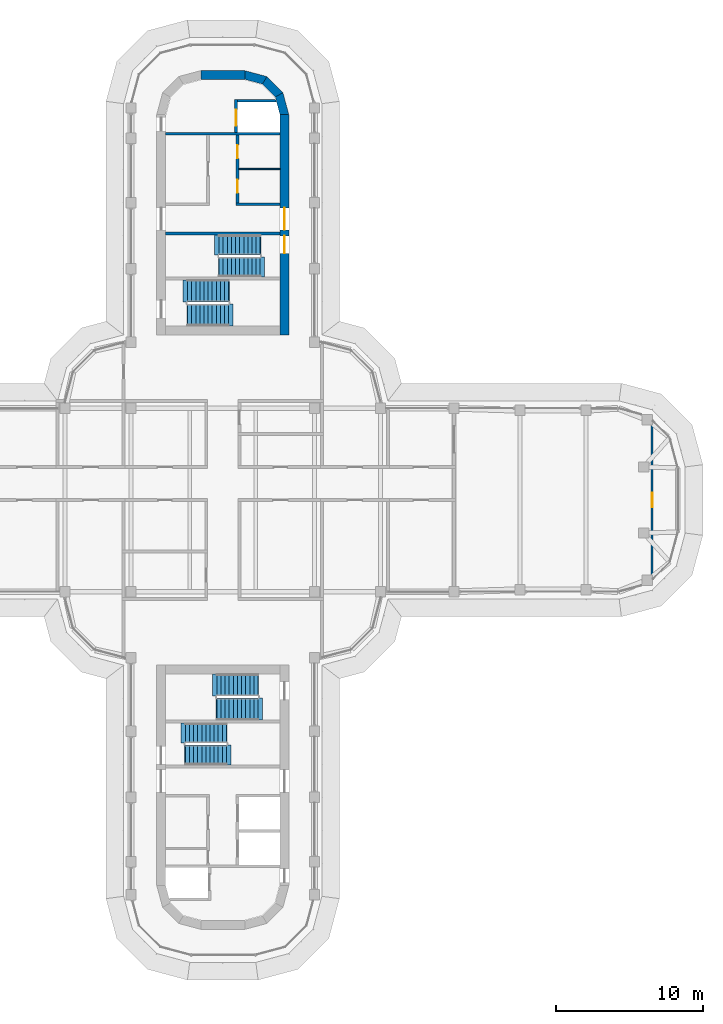
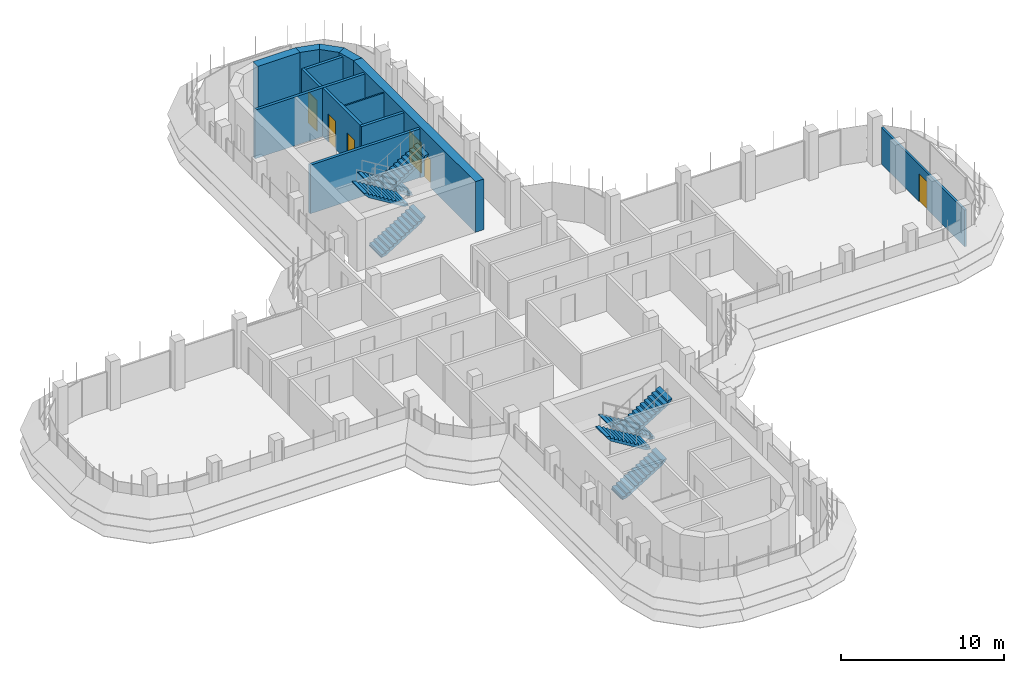
# One storey, part 15 of 18: 13 walls, 8 stair flights, 6 doors, 6 openings, 4 elements without a shape of their own.
"""IFC4 building model written with IfcOpenShell, lengths in metres."""

from ifc_helpers import new_model, si_unit, direction, frame, frame_2d, origin, place, context, subcontext, project, spatial, polyline, rectangle, outline, extrude, material, layer, layer_set, type_object, element, fill, aggregate, save


model = new_model("IFC4")

# Units and contexts
model_context = context("Model", 3, precision=1e-05, world=origin(), true_north=direction((0.0, 1.0)))
body_context = subcontext(model_context, "Body", "Model", "MODEL_VIEW")
ifc_project = project(units=[si_unit("LENGTHUNIT", "METRE"), si_unit("AREAUNIT", "SQUARE_METRE"), si_unit("VOLUMEUNIT", "CUBIC_METRE"), si_unit("PLANEANGLEUNIT", "RADIAN"), si_unit("MASSUNIT", "GRAM", prefix="KILO")], contexts=[model_context])

# Site, building, storey
site_placement = place(None, origin())
site = spatial("IfcSite", under=ifc_project, at=site_placement, CompositionType="ELEMENT")
building_placement = place(site_placement, origin())
building = spatial("IfcBuilding", under=site, at=building_placement, Name="Zarbagh Exchange Tower", CompositionType="ELEMENT")
storey_placement = place(building_placement, frame((0.0, 0.0, 210.60009765625)))
storey = spatial("IfcBuildingStorey", under=building, at=storey_placement, Name="L51", CompositionType="ELEMENT", Elevation=210.60009765625)

# Wall
ifc_material_1 = material(Name="Dense blockwork", Category="masonry")
ifc_layer_1 = layer(ifc_material_1, 0.10009765625)
ifc_layer_set_1 = layer_set([ifc_layer_1], Name="Core partition 100 mm blockwork")
wall_type_1 = type_object("IfcWallType", Name="Core partition 100 mm blockwork", PredefinedType="PARTITIONING", material=ifc_layer_set_1)
wall_1_placement = place(storey_placement, frame((1.10009765625, 22.550048828125, 0.0), z_axis=(0.0, 0.0, 1.0), x_axis=(1.0, 0.0, 0.0)))
element("IfcWall", 1, at=wall_1_placement, inside=storey, type_object=wall_type_1, Name="North core partition wall CUT-E-580", PredefinedType="PARTITIONING", context=body_context, shape_type="SweptSolid", body=[
    extrude(rectangle(XDim=2.7998046875, YDim=0.10009765625, at=frame_2d((1.39990234375, 0.0))), origin(), (0.0, 0.0, 1.0), 3.64990234375),
])

# Wall, opening, door
ifc_material_2 = material(Name="Plasterboard partition")
ifc_layer_2 = layer(ifc_material_2, 0.14990234375)
ifc_layer_set_2 = layer_set([ifc_layer_2], Name="PARTITION 150")
wall_type_2 = type_object("IfcWallType", Name="PARTITION 150", PredefinedType="PARTITIONING", material=ifc_layer_set_2)
wall_2_placement = place(storey_placement, frame((29.25, 5.125, 0.0), z_axis=(0.0, 0.0, 1.0), x_axis=(0.0, -1.0, 0.0)))
wall_2 = element("IfcWall", 2, at=wall_2_placement, inside=storey, type_object=wall_type_2, Name="Partition W-2244", PredefinedType="PARTITIONING", context=body_context, shape_type="SweptSolid", body=[
    extrude(rectangle(XDim=10.25, YDim=0.14990234375, at=frame_2d((5.125, 0.0))), origin(), (0.0, 0.0, 1.0), 2.75),
])
opening_1_placement = place(wall_2_placement, frame((4.625, 0.0, 0.0)))
opening_1 = element("IfcOpeningElement", 3, at=opening_1_placement, cuts=wall_2, Name="Opening D-2201", PredefinedType="OPENING", context=body_context, shape_type="SweptSolid", body=[
    extrude(rectangle(XDim=1.0, YDim=2.10009765625, at=frame_2d((0.5, 1.050048828125))), frame((0.0, 0.0849609375, 0.0), z_axis=(0.0, -1.0, 0.0), x_axis=(1.0, 0.0, 0.0)), (0.0, 0.0, 1.0), 0.169921875),
])
ifc_material_3 = material(Name="Timber door leaf", Category="wood")
door_type_1 = type_object("IfcDoorType", Name="DOOR 1000 X 2100", OperationType="NOTDEFINED", PredefinedType="DOOR", material=ifc_material_3)
door_1_placement = place(opening_1_placement, origin())
door_1 = element("IfcDoor", 4, at=door_1_placement, inside=storey, type_object=door_type_1, Name="Door D-2201", OperationType="SINGLE_SWING_RIGHT", OverallHeight=2.10009765625, OverallWidth=1.0, PredefinedType="DOOR", context=body_context, shape_type="SweptSolid", body=[
    extrude(rectangle(XDim=1.0, YDim=2.10009765625, at=frame_2d((0.5, 1.050048828125))), frame((0.0, 0.02490234375, 0.0), z_axis=(0.0, -1.0, 0.0), x_axis=(1.0, 0.0, 0.0)), (0.0, 0.0, 1.0), 0.050048828125),
])
fill(opening_1, door_1)

# Walls
ifc_material_4 = material(Name="Concrete C50/60", Category="concrete")
ifc_layer_3 = layer(ifc_material_4, 0.60009765625)
ifc_layer_set_3 = layer_set([ifc_layer_3], Name="RC core corner wall 600 C50/60")
wall_type_3 = type_object("IfcWallType", Name="RC core corner wall 600 C50/60", PredefinedType="SHEAR", material=ifc_layer_set_3)
wall_3_placement = place(storey_placement, origin())
element("IfcWall", 5, at=wall_3_placement, inside=storey, type_object=wall_type_3, Name="CW8 core N corner E", PredefinedType="SHEAR", context=body_context, shape_type="SweptSolid", body=[
    extrude(outline(polyline([(4.5, 26.25), (4.09814453125, 27.75), (3.57861328125, 27.449951171875), (3.89990234375, 26.25), (4.5, 26.25)])), origin(), (0.0, 0.0, 1.0), 3.7998046875),
])
wall_4_placement = place(storey_placement, origin())
element("IfcWall", 6, at=wall_4_placement, inside=storey, type_object=wall_type_3, Name="CW8 core N corner E", PredefinedType="SHEAR", context=body_context, shape_type="SweptSolid", body=[
    extrude(outline(polyline([(4.09814453125, 27.75), (3.0, 28.84814453125), (2.699951171875, 28.32861328125), (3.57861328125, 27.449951171875), (4.09814453125, 27.75)])), origin(), (0.0, 0.0, 1.0), 3.7998046875),
])
wall_5_placement = place(storey_placement, origin())
element("IfcWall", 7, at=wall_5_placement, inside=storey, type_object=wall_type_3, Name="CW8 core N corner E", PredefinedType="SHEAR", context=body_context, shape_type="SweptSolid", body=[
    extrude(outline(polyline([(3.0, 28.84814453125), (1.5, 29.25), (1.5, 28.64990234375), (2.699951171875, 28.32861328125), (3.0, 28.84814453125)])), origin(), (0.0, 0.0, 1.0), 3.7998046875),
])

# Wall, openings, doors
ifc_layer_4 = layer(ifc_material_4, 0.60009765625)
ifc_layer_set_4 = layer_set([ifc_layer_4], Name="RC core wall 600 C50/60")
wall_type_4 = type_object("IfcWallType", Name="RC core wall 600 C50/60", PredefinedType="SHEAR", material=ifc_layer_set_4)
wall_6_placement = place(storey_placement, frame((4.199951171875, 11.25, 0.0), z_axis=(0.0, 0.0, 1.0), x_axis=(0.0, 1.0, 0.0)))
wall_6 = element("IfcWall", 8, at=wall_6_placement, inside=storey, type_object=wall_type_4, Name="CW7 core N E", PredefinedType="SHEAR", context=body_context, shape_type="SweptSolid", body=[
    extrude(rectangle(XDim=15.0, YDim=0.60009765625, at=frame_2d((7.5, 0.0))), origin(), (0.0, 0.0, 1.0), 3.7998046875),
])
opening_2_placement = place(wall_6_placement, frame((7.14990234375, 0.0, 0.0)))
opening_2 = element("IfcOpeningElement", 9, at=opening_2_placement, cuts=wall_6, Name="Opening CD1-1500", PredefinedType="OPENING", context=body_context, shape_type="SweptSolid", body=[
    extrude(rectangle(XDim=1.5, YDim=2.300048828125, at=frame_2d((0.75, 1.14990234375))), frame((0.0, 0.31005859375, 0.0), z_axis=(0.0, -1.0, 0.0), x_axis=(1.0, 0.0, 0.0)), (0.0, 0.0, 1.0), 0.6201171875),
])
opening_3_placement = place(wall_6_placement, frame((5.550048828125, 0.0, 0.0)))
opening_3 = element("IfcOpeningElement", 10, at=opening_3_placement, cuts=wall_6, Name="Opening SD1-1200", PredefinedType="OPENING", context=body_context, shape_type="SweptSolid", body=[
    extrude(rectangle(XDim=1.199951171875, YDim=2.10009765625, at=frame_2d((0.60009765625, 1.050048828125))), frame((0.0, 0.31005859375, 0.0), z_axis=(0.0, -1.0, 0.0), x_axis=(1.0, 0.0, 0.0)), (0.0, 0.0, 1.0), 0.6201171875),
])
ifc_material_5 = material(Name="Steel", Category="steel")
door_type_2 = type_object("IfcDoorType", Name="Exit stair door 1200 x 2100", OperationType="NOTDEFINED", PredefinedType="DOOR", material=ifc_material_5)
door_2_placement = place(opening_3_placement, origin())
door_2 = element("IfcDoor", 11, at=door_2_placement, inside=storey, type_object=door_type_2, Name="North core stair door ST1", OperationType="SINGLE_SWING_RIGHT", OverallHeight=2.10009765625, OverallWidth=1.199951171875, PredefinedType="DOOR", context=body_context, shape_type="SweptSolid", body=[
    extrude(rectangle(XDim=1.199951171875, YDim=2.10009765625, at=frame_2d((0.60009765625, 1.050048828125))), frame((0.0, 0.02490234375, 0.0), z_axis=(0.0, -1.0, 0.0), x_axis=(1.0, 0.0, 0.0)), (0.0, 0.0, 1.0), 0.050048828125),
])
fill(opening_3, door_2)
door_type_3 = type_object("IfcDoorType", Name="Lift lobby double door 1500 x 2300", OperationType="NOTDEFINED", PredefinedType="DOOR", material=ifc_material_5)
door_3_placement = place(opening_2_placement, origin())
door_3 = element("IfcDoor", 12, at=door_3_placement, inside=storey, type_object=door_type_3, Name="North core lift lobby door LOBBY-E", OperationType="DOUBLE_DOOR_SINGLE_SWING", OverallHeight=2.300048828125, OverallWidth=1.5, PredefinedType="DOOR", context=body_context, shape_type="SweptSolid", body=[
    extrude(rectangle(XDim=1.5, YDim=2.300048828125, at=frame_2d((0.75, 1.14990234375))), frame((0.0, 0.02490234375, 0.0), z_axis=(0.0, -1.0, 0.0), x_axis=(1.0, 0.0, 0.0)), (0.0, 0.0, 1.0), 0.050048828125),
])
fill(opening_2, door_3)

# Walls
wall_7_placement = place(storey_placement, frame((-1.5, 28.949951171875, 0.0), z_axis=(0.0, 0.0, 1.0), x_axis=(1.0, 0.0, 0.0)))
element("IfcWall", 13, at=wall_7_placement, inside=storey, type_object=wall_type_4, Name="CW7 core N outer end", PredefinedType="SHEAR", context=body_context, shape_type="SweptSolid", body=[
    extrude(rectangle(XDim=3.0, YDim=0.60009765625, at=frame_2d((1.5, 0.0))), origin(), (0.0, 0.0, 1.0), 3.7998046875),
])
ifc_layer_5 = layer(ifc_material_1, 0.199951171875)
ifc_layer_set_5 = layer_set([ifc_layer_5], Name="Shaft wall 200 mm blockwork")
wall_type_5 = type_object("IfcWallType", Name="Shaft wall 200 mm blockwork", PredefinedType="PARTITIONING", material=ifc_layer_set_5)
wall_8_placement = place(storey_placement, frame((0.89990234375, 20.14990234375, 0.0), z_axis=(0.0, 0.0, 1.0), x_axis=(1.0, 0.0, 0.0)))
element("IfcWall", 14, at=wall_8_placement, inside=storey, type_object=wall_type_5, Name="North core shaft wall AB-E", PredefinedType="PARTITIONING", context=body_context, shape_type="SweptSolid", body=[
    extrude(rectangle(XDim=3.0, YDim=0.199951171875, at=frame_2d((1.5, 0.0))), origin(), (0.0, 0.0, 1.0), 3.64990234375),
])

# Wall, openings, doors
wall_9_placement = place(storey_placement, frame((1.0, 24.85009765625, 0.0), z_axis=(0.0, 0.0, 1.0), x_axis=(0.0, -1.0, 0.0)))
wall_9 = element("IfcWall", 15, at=wall_9_placement, inside=storey, type_object=wall_type_5, Name="North core shaft wall LW-E", PredefinedType="PARTITIONING", context=body_context, shape_type="SweptSolid", body=[
    extrude(rectangle(XDim=4.60009765625, YDim=0.199951171875, at=frame_2d((2.300048828125, 0.0))), origin(), (0.0, 0.0, 1.0), 3.64990234375),
])
opening_4_placement = place(wall_9_placement, frame((0.675048828125, 0.0, 0.0)))
opening_4 = element("IfcOpeningElement", 16, at=opening_4_placement, cuts=wall_9, Name="Opening CD3-900", PredefinedType="OPENING", context=body_context, shape_type="SweptSolid", body=[
    extrude(rectangle(XDim=0.89990234375, YDim=2.10009765625, at=frame_2d((0.449951171875, 1.050048828125))), frame((0.0, 0.10986328125, 0.0), z_axis=(0.0, -1.0, 0.0), x_axis=(1.0, 0.0, 0.0)), (0.0, 0.0, 1.0), 0.219970703125),
])
opening_5_placement = place(wall_9_placement, frame((3.02490234375, 0.0, 0.0)))
opening_5 = element("IfcOpeningElement", 17, at=opening_5_placement, cuts=wall_9, Name="Opening CD3-900", PredefinedType="OPENING", context=body_context, shape_type="SweptSolid", body=[
    extrude(rectangle(XDim=0.89990234375, YDim=2.10009765625, at=frame_2d((0.449951171875, 1.050048828125))), frame((0.0, 0.10986328125, 0.0), z_axis=(0.0, -1.0, 0.0), x_axis=(1.0, 0.0, 0.0)), (0.0, 0.0, 1.0), 0.219970703125),
])
door_type_4 = type_object("IfcDoorType", Name="Core room door 900 x 2100", OperationType="NOTDEFINED", PredefinedType="DOOR", material=ifc_material_5)
door_4_placement = place(opening_4_placement, origin())
door_4 = element("IfcDoor", 18, at=door_4_placement, inside=storey, type_object=door_type_4, Name="North core Staff WC door RD-E-0", OperationType="SINGLE_SWING_LEFT", OverallHeight=2.10009765625, OverallWidth=0.89990234375, PredefinedType="DOOR", context=body_context, shape_type="SweptSolid", body=[
    extrude(rectangle(XDim=0.89990234375, YDim=2.10009765625, at=frame_2d((0.449951171875, 1.050048828125))), frame((0.0, 0.02490234375, 0.0), z_axis=(0.0, -1.0, 0.0), x_axis=(1.0, 0.0, 0.0)), (0.0, 0.0, 1.0), 0.050048828125),
])
fill(opening_4, door_4)
door_5_placement = place(opening_5_placement, origin())
door_5 = element("IfcDoor", 19, at=door_5_placement, inside=storey, type_object=door_type_4, Name="North core Accessible WC door RD-E-1", OperationType="SINGLE_SWING_RIGHT", OverallHeight=2.10009765625, OverallWidth=0.89990234375, PredefinedType="DOOR", context=body_context, shape_type="SweptSolid", body=[
    extrude(rectangle(XDim=0.89990234375, YDim=2.10009765625, at=frame_2d((0.449951171875, 1.050048828125))), frame((0.0, 0.02490234375, 0.0), z_axis=(0.0, -1.0, 0.0), x_axis=(1.0, 0.0, 0.0)), (0.0, 0.0, 1.0), 0.050048828125),
])
fill(opening_5, door_5)

# Wall
ifc_material_6 = material(Name="Concrete C40/50", Category="concrete")
ifc_layer_6 = layer(ifc_material_6, 0.199951171875)
ifc_layer_set_6 = layer_set([ifc_layer_6], Name="Stair enclosure wall 200 mm RC C40/50")
wall_type_6 = type_object("IfcWallType", Name="Stair enclosure wall 200 mm RC C40/50", PredefinedType="SHEAR", material=ifc_layer_set_6)
wall_10_placement = place(storey_placement, frame((-3.89990234375, 24.949951171875, 0.0), z_axis=(0.0, 0.0, 1.0), x_axis=(1.0, 0.0, 0.0)))
element("IfcWall", 20, at=wall_10_placement, inside=storey, type_object=wall_type_6, Name="North core lift shaft wall FFA", PredefinedType="SHEAR", context=body_context, shape_type="SweptSolid", body=[
    extrude(rectangle(XDim=7.7998046875, YDim=0.199951171875, at=frame_2d((3.89990234375, 0.0))), origin(), (0.0, 0.0, 1.0), 3.64990234375),
])

# Wall, opening, door
wall_11_placement = place(storey_placement, frame((0.89990234375, 27.300048828125, 0.0), z_axis=(0.0, 0.0, 1.0), x_axis=(0.0, -1.0, 0.0)))
wall_11 = element("IfcWall", 21, at=wall_11_placement, inside=storey, type_object=wall_type_6, Name="North core lift shaft wall FFL", PredefinedType="SHEAR", context=body_context, shape_type="SweptSolid", body=[
    extrude(rectangle(XDim=2.25, YDim=0.199951171875, at=frame_2d((1.125, 0.0))), origin(), (0.0, 0.0, 1.0), 3.64990234375),
])
opening_6_placement = place(wall_11_placement, frame((0.699951171875, 0.0, 0.0)))
opening_6 = element("IfcOpeningElement", 22, at=opening_6_placement, cuts=wall_11, Name="Opening LD-1100", PredefinedType="OPENING", context=body_context, shape_type="SweptSolid", body=[
    extrude(rectangle(XDim=1.10009765625, YDim=2.300048828125, at=frame_2d((0.550048828125, 1.14990234375))), frame((0.0, 0.10986328125, 0.0), z_axis=(0.0, -1.0, 0.0), x_axis=(1.0, 0.0, 0.0)), (0.0, 0.0, 1.0), 0.219970703125),
])
ifc_material_7 = material(Name="Stainless steel", Category="steel")
door_type_5 = type_object("IfcDoorType", Name="Lift landing door 1100 x 2300", OperationType="NOTDEFINED", PredefinedType="DOOR", material=ifc_material_7)
door_6_placement = place(opening_6_placement, origin())
door_6 = element("IfcDoor", 23, at=door_6_placement, inside=storey, type_object=door_type_5, Name="North core lift landing door LD-F", OperationType="DOUBLE_DOOR_SLIDING", OverallHeight=2.300048828125, OverallWidth=1.10009765625, PredefinedType="DOOR", context=body_context, shape_type="SweptSolid", body=[
    extrude(rectangle(XDim=1.10009765625, YDim=2.300048828125, at=frame_2d((0.550048828125, 1.14990234375))), frame((0.0, 0.02490234375, 0.0), z_axis=(0.0, -1.0, 0.0), x_axis=(1.0, 0.0, 0.0)), (0.0, 0.0, 1.0), 0.050048828125),
])
fill(opening_6, door_6)

# Walls
wall_12_placement = place(storey_placement, origin())
element("IfcWall", 24, at=wall_12_placement, inside=storey, type_object=wall_type_6, Name="North core lift shaft wall FFX", PredefinedType="SHEAR", context=body_context, shape_type="SweptSolid", body=[
    extrude(outline(polyline([(1.0, 27.10009765625), (3.651123046875, 27.10009765625), (3.597412109375, 27.300048828125), (1.0, 27.300048828125), (1.0, 27.10009765625)])), origin(), (0.0, 0.0, 1.0), 3.64990234375),
])
wall_13_placement = place(storey_placement, frame((-3.89990234375, 18.14990234375, 0.0), z_axis=(0.0, 0.0, 1.0), x_axis=(1.0, 0.0, 0.0)))
element("IfcWall", 25, at=wall_13_placement, inside=storey, type_object=wall_type_6, Name="North core stair wall BS", PredefinedType="SHEAR", context=body_context, shape_type="SweptSolid", body=[
    extrude(rectangle(XDim=7.7998046875, YDim=0.199951171875, at=frame_2d((3.89990234375, 0.0))), origin(), (0.0, 0.0, 1.0), 3.64990234375),
])

# Stair, stair flights
stair_type = type_object("IfcStairType", Name="Exit stair two-flight half-turn", PredefinedType="HALF_TURN_STAIR", material=ifc_material_6)
stair_1_placement = place(storey_placement, origin())
stair_1 = element("IfcStair", 26, at=stair_1_placement, inside=storey, type_object=stair_type, Name="exit stair ST1", PredefinedType="HALF_TURN_STAIR")
stair_flight_type_1 = type_object("IfcStairFlightType", Name="Stair flight 1350 mm", PredefinedType="STRAIGHT", material=ifc_material_6)
stair_flight_1_placement = place(storey_placement, frame((2.550048828125, 17.375, 0.0), z_axis=(0.0, 0.0, 1.0), x_axis=(-1.0, 0.0, 0.0)))
stair_flight_1 = element("IfcStairFlight", 27, at=stair_flight_1_placement, type_object=stair_flight_type_1, Name="ST1 flight 1", NumberOfRisers=11, NumberOfTreads=10, PredefinedType="STRAIGHT", RiserHeight=0.172727273, TreadLength=0.28, context=body_context, shape_type="SweptSolid", body=[
    extrude(outline(polyline([(-0.050048828125, -0.050048828125), (-0.050048828125, 0.0), (0.0, 0.0), (0.0, 0.172607421875), (0.280029296875, 0.172607421875), (0.280029296875, 0.345458984375), (0.56005859375, 0.345458984375), (0.56005859375, 0.51806640625), (0.840087890625, 0.51806640625), (0.840087890625, 0.69091796875), (1.1201171875, 0.69091796875), (1.1201171875, 0.863525390625), (1.39990234375, 0.863525390625), (1.39990234375, 1.036376953125), (1.679931640625, 1.036376953125), (1.679931640625, 1.208984375), (1.9599609375, 1.208984375), (1.9599609375, 1.3818359375), (2.239990234375, 1.3818359375), (2.239990234375, 1.554443359375), (2.52001953125, 1.554443359375), (2.52001953125, 1.727294921875), (2.800048828125, 1.727294921875), (2.800048828125, 1.89990234375), (3.10009765625, 1.97998046875), (3.10009765625, 1.89990234375), (2.800048828125, 1.551025390625), (0.285400390625, 0.0), (-0.050048828125, -0.050048828125)])), frame((0.0, 0.675048828125, 0.0), z_axis=(0.0, -1.0, 0.0), x_axis=(1.0, 0.0, 0.0)), (0.0, 0.0, 1.0), 1.35009765625),
])
stair_flight_2_placement = place(storey_placement, frame((-0.25, 15.875, 1.89990234375), z_axis=(0.0, 0.0, 1.0), x_axis=(1.0, 0.0, 0.0)))
stair_flight_2 = element("IfcStairFlight", 28, at=stair_flight_2_placement, type_object=stair_flight_type_1, Name="ST1 flight 2", NumberOfRisers=11, NumberOfTreads=10, PredefinedType="STRAIGHT", RiserHeight=0.172727273, TreadLength=0.28, context=body_context, shape_type="SweptSolid", body=[
    extrude(outline(polyline([(-0.050048828125, -0.050048828125), (-0.050048828125, 0.0), (0.0, 0.0), (0.0, 0.172607421875), (0.280029296875, 0.172607421875), (0.280029296875, 0.345458984375), (0.56005859375, 0.345458984375), (0.56005859375, 0.51806640625), (0.840087890625, 0.51806640625), (0.840087890625, 0.69091796875), (1.1201171875, 0.69091796875), (1.1201171875, 0.863525390625), (1.39990234375, 0.863525390625), (1.39990234375, 1.036376953125), (1.679931640625, 1.036376953125), (1.679931640625, 1.208984375), (1.9599609375, 1.208984375), (1.9599609375, 1.3818359375), (2.239990234375, 1.3818359375), (2.239990234375, 1.554443359375), (2.52001953125, 1.554443359375), (2.52001953125, 1.727294921875), (2.800048828125, 1.727294921875), (2.800048828125, 1.89990234375), (3.10009765625, 1.97998046875), (3.10009765625, 1.89990234375), (2.800048828125, 1.551025390625), (0.285400390625, 0.0), (-0.050048828125, -0.050048828125)])), frame((0.0, 0.675048828125, 0.0), z_axis=(0.0, -1.0, 0.0), x_axis=(1.0, 0.0, 0.0)), (0.0, 0.0, 1.0), 1.35009765625),
])
aggregate(stair_1, [stair_flight_1, stair_flight_2])

stair_2_placement = place(storey_placement, origin())
stair_2 = element("IfcStair", 29, at=stair_2_placement, inside=storey, type_object=stair_type, Name="exit stair ST3", PredefinedType="HALF_TURN_STAIR")
stair_flight_3_placement = place(storey_placement, frame((-2.550048828125, -17.375, 0.0), z_axis=(0.0, 0.0, 1.0), x_axis=(1.0, 0.0, 0.0)))
stair_flight_3 = element("IfcStairFlight", 30, at=stair_flight_3_placement, type_object=stair_flight_type_1, Name="ST3 flight 1", NumberOfRisers=11, NumberOfTreads=10, PredefinedType="STRAIGHT", RiserHeight=0.172727273, TreadLength=0.28, context=body_context, shape_type="SweptSolid", body=[
    extrude(outline(polyline([(-0.050048828125, -0.050048828125), (-0.050048828125, 0.0), (0.0, 0.0), (0.0, 0.172607421875), (0.280029296875, 0.172607421875), (0.280029296875, 0.345458984375), (0.56005859375, 0.345458984375), (0.56005859375, 0.51806640625), (0.840087890625, 0.51806640625), (0.840087890625, 0.69091796875), (1.1201171875, 0.69091796875), (1.1201171875, 0.863525390625), (1.39990234375, 0.863525390625), (1.39990234375, 1.036376953125), (1.679931640625, 1.036376953125), (1.679931640625, 1.208984375), (1.9599609375, 1.208984375), (1.9599609375, 1.3818359375), (2.239990234375, 1.3818359375), (2.239990234375, 1.554443359375), (2.52001953125, 1.554443359375), (2.52001953125, 1.727294921875), (2.800048828125, 1.727294921875), (2.800048828125, 1.89990234375), (3.10009765625, 1.97998046875), (3.10009765625, 1.89990234375), (2.800048828125, 1.551025390625), (0.285400390625, 0.0), (-0.050048828125, -0.050048828125)])), frame((0.0, 0.675048828125, 0.0), z_axis=(0.0, -1.0, 0.0), x_axis=(1.0, 0.0, 0.0)), (0.0, 0.0, 1.0), 1.35009765625),
])
stair_flight_4_placement = place(storey_placement, frame((0.25, -15.875, 1.89990234375), z_axis=(0.0, 0.0, 1.0), x_axis=(-1.0, 0.0, 0.0)))
stair_flight_4 = element("IfcStairFlight", 31, at=stair_flight_4_placement, type_object=stair_flight_type_1, Name="ST3 flight 2", NumberOfRisers=11, NumberOfTreads=10, PredefinedType="STRAIGHT", RiserHeight=0.172727273, TreadLength=0.28, context=body_context, shape_type="SweptSolid", body=[
    extrude(outline(polyline([(-0.050048828125, -0.050048828125), (-0.050048828125, 0.0), (0.0, 0.0), (0.0, 0.172607421875), (0.280029296875, 0.172607421875), (0.280029296875, 0.345458984375), (0.56005859375, 0.345458984375), (0.56005859375, 0.51806640625), (0.840087890625, 0.51806640625), (0.840087890625, 0.69091796875), (1.1201171875, 0.69091796875), (1.1201171875, 0.863525390625), (1.39990234375, 0.863525390625), (1.39990234375, 1.036376953125), (1.679931640625, 1.036376953125), (1.679931640625, 1.208984375), (1.9599609375, 1.208984375), (1.9599609375, 1.3818359375), (2.239990234375, 1.3818359375), (2.239990234375, 1.554443359375), (2.52001953125, 1.554443359375), (2.52001953125, 1.727294921875), (2.800048828125, 1.727294921875), (2.800048828125, 1.89990234375), (3.10009765625, 1.97998046875), (3.10009765625, 1.89990234375), (2.800048828125, 1.551025390625), (0.285400390625, 0.0), (-0.050048828125, -0.050048828125)])), frame((0.0, 0.675048828125, 0.0), z_axis=(0.0, -1.0, 0.0), x_axis=(1.0, 0.0, 0.0)), (0.0, 0.0, 1.0), 1.35009765625),
])
aggregate(stair_2, [stair_flight_3, stair_flight_4])

stair_3_placement = place(storey_placement, origin())
stair_3 = element("IfcStair", 32, at=stair_3_placement, inside=storey, type_object=stair_type, Name="exit stair ST2", PredefinedType="HALF_TURN_STAIR")
stair_flight_type_2 = type_object("IfcStairFlightType", Name="Stair flight 1500 mm", PredefinedType="STRAIGHT", material=ifc_material_6)
stair_flight_5_placement = place(storey_placement, frame((-2.39990234375, 12.60009765625, 0.0), z_axis=(0.0, 0.0, 1.0), x_axis=(1.0, 0.0, 0.0)))
stair_flight_5 = element("IfcStairFlight", 33, at=stair_flight_5_placement, type_object=stair_flight_type_2, Name="ST2 flight 1", NumberOfRisers=11, NumberOfTreads=10, PredefinedType="STRAIGHT", RiserHeight=0.172727273, TreadLength=0.28, context=body_context, shape_type="SweptSolid", body=[
    extrude(outline(polyline([(-0.050048828125, -0.050048828125), (-0.050048828125, 0.0), (0.0, 0.0), (0.0, 0.172607421875), (0.280029296875, 0.172607421875), (0.280029296875, 0.345458984375), (0.56005859375, 0.345458984375), (0.56005859375, 0.51806640625), (0.840087890625, 0.51806640625), (0.840087890625, 0.69091796875), (1.1201171875, 0.69091796875), (1.1201171875, 0.863525390625), (1.39990234375, 0.863525390625), (1.39990234375, 1.036376953125), (1.679931640625, 1.036376953125), (1.679931640625, 1.208984375), (1.9599609375, 1.208984375), (1.9599609375, 1.3818359375), (2.239990234375, 1.3818359375), (2.239990234375, 1.554443359375), (2.52001953125, 1.554443359375), (2.52001953125, 1.727294921875), (2.800048828125, 1.727294921875), (2.800048828125, 1.89990234375), (3.10009765625, 1.97998046875), (3.10009765625, 1.89990234375), (2.800048828125, 1.551025390625), (0.285400390625, 0.0), (-0.050048828125, -0.050048828125)])), frame((0.0, 0.75, 0.0), z_axis=(0.0, -1.0, 0.0), x_axis=(1.0, 0.0, 0.0)), (0.0, 0.0, 1.0), 1.5),
])
stair_flight_6_placement = place(storey_placement, frame((0.39990234375, 14.25, 1.89990234375), z_axis=(0.0, 0.0, 1.0), x_axis=(-1.0, 0.0, 0.0)))
stair_flight_6 = element("IfcStairFlight", 34, at=stair_flight_6_placement, type_object=stair_flight_type_2, Name="ST2 flight 2", NumberOfRisers=11, NumberOfTreads=10, PredefinedType="STRAIGHT", RiserHeight=0.172727273, TreadLength=0.28, context=body_context, shape_type="SweptSolid", body=[
    extrude(outline(polyline([(-0.050048828125, -0.050048828125), (-0.050048828125, 0.0), (0.0, 0.0), (0.0, 0.172607421875), (0.280029296875, 0.172607421875), (0.280029296875, 0.345458984375), (0.56005859375, 0.345458984375), (0.56005859375, 0.51806640625), (0.840087890625, 0.51806640625), (0.840087890625, 0.69091796875), (1.1201171875, 0.69091796875), (1.1201171875, 0.863525390625), (1.39990234375, 0.863525390625), (1.39990234375, 1.036376953125), (1.679931640625, 1.036376953125), (1.679931640625, 1.208984375), (1.9599609375, 1.208984375), (1.9599609375, 1.3818359375), (2.239990234375, 1.3818359375), (2.239990234375, 1.554443359375), (2.52001953125, 1.554443359375), (2.52001953125, 1.727294921875), (2.800048828125, 1.727294921875), (2.800048828125, 1.89990234375), (3.10009765625, 1.97998046875), (3.10009765625, 1.89990234375), (2.800048828125, 1.551025390625), (0.285400390625, 0.0), (-0.050048828125, -0.050048828125)])), frame((0.0, 0.75, 0.0), z_axis=(0.0, -1.0, 0.0), x_axis=(1.0, 0.0, 0.0)), (0.0, 0.0, 1.0), 1.5),
])
aggregate(stair_3, [stair_flight_5, stair_flight_6])

stair_4_placement = place(storey_placement, origin())
stair_4 = element("IfcStair", 35, at=stair_4_placement, inside=storey, type_object=stair_type, Name="exit stair ST4", PredefinedType="HALF_TURN_STAIR")
stair_flight_7_placement = place(storey_placement, frame((2.39990234375, -12.60009765625, 0.0), z_axis=(0.0, 0.0, 1.0), x_axis=(-1.0, 0.0, 0.0)))
stair_flight_7 = element("IfcStairFlight", 36, at=stair_flight_7_placement, type_object=stair_flight_type_2, Name="ST4 flight 1", NumberOfRisers=11, NumberOfTreads=10, PredefinedType="STRAIGHT", RiserHeight=0.172727273, TreadLength=0.28, context=body_context, shape_type="SweptSolid", body=[
    extrude(outline(polyline([(-0.050048828125, -0.050048828125), (-0.050048828125, 0.0), (0.0, 0.0), (0.0, 0.172607421875), (0.280029296875, 0.172607421875), (0.280029296875, 0.345458984375), (0.56005859375, 0.345458984375), (0.56005859375, 0.51806640625), (0.840087890625, 0.51806640625), (0.840087890625, 0.69091796875), (1.1201171875, 0.69091796875), (1.1201171875, 0.863525390625), (1.39990234375, 0.863525390625), (1.39990234375, 1.036376953125), (1.679931640625, 1.036376953125), (1.679931640625, 1.208984375), (1.9599609375, 1.208984375), (1.9599609375, 1.3818359375), (2.239990234375, 1.3818359375), (2.239990234375, 1.554443359375), (2.52001953125, 1.554443359375), (2.52001953125, 1.727294921875), (2.800048828125, 1.727294921875), (2.800048828125, 1.89990234375), (3.10009765625, 1.97998046875), (3.10009765625, 1.89990234375), (2.800048828125, 1.551025390625), (0.285400390625, 0.0), (-0.050048828125, -0.050048828125)])), frame((0.0, 0.75, 0.0), z_axis=(0.0, -1.0, 0.0), x_axis=(1.0, 0.0, 0.0)), (0.0, 0.0, 1.0), 1.5),
])
stair_flight_8_placement = place(storey_placement, frame((-0.39990234375, -14.25, 1.89990234375), z_axis=(0.0, 0.0, 1.0), x_axis=(1.0, 0.0, 0.0)))
stair_flight_8 = element("IfcStairFlight", 37, at=stair_flight_8_placement, type_object=stair_flight_type_2, Name="ST4 flight 2", NumberOfRisers=11, NumberOfTreads=10, PredefinedType="STRAIGHT", RiserHeight=0.172727273, TreadLength=0.28, context=body_context, shape_type="SweptSolid", body=[
    extrude(outline(polyline([(-0.050048828125, -0.050048828125), (-0.050048828125, 0.0), (0.0, 0.0), (0.0, 0.172607421875), (0.280029296875, 0.172607421875), (0.280029296875, 0.345458984375), (0.56005859375, 0.345458984375), (0.56005859375, 0.51806640625), (0.840087890625, 0.51806640625), (0.840087890625, 0.69091796875), (1.1201171875, 0.69091796875), (1.1201171875, 0.863525390625), (1.39990234375, 0.863525390625), (1.39990234375, 1.036376953125), (1.679931640625, 1.036376953125), (1.679931640625, 1.208984375), (1.9599609375, 1.208984375), (1.9599609375, 1.3818359375), (2.239990234375, 1.3818359375), (2.239990234375, 1.554443359375), (2.52001953125, 1.554443359375), (2.52001953125, 1.727294921875), (2.800048828125, 1.727294921875), (2.800048828125, 1.89990234375), (3.10009765625, 1.97998046875), (3.10009765625, 1.89990234375), (2.800048828125, 1.551025390625), (0.285400390625, 0.0), (-0.050048828125, -0.050048828125)])), frame((0.0, 0.75, 0.0), z_axis=(0.0, -1.0, 0.0), x_axis=(1.0, 0.0, 0.0)), (0.0, 0.0, 1.0), 1.5),
])
aggregate(stair_4, [stair_flight_7, stair_flight_8])

save(model, "model.ifc")
